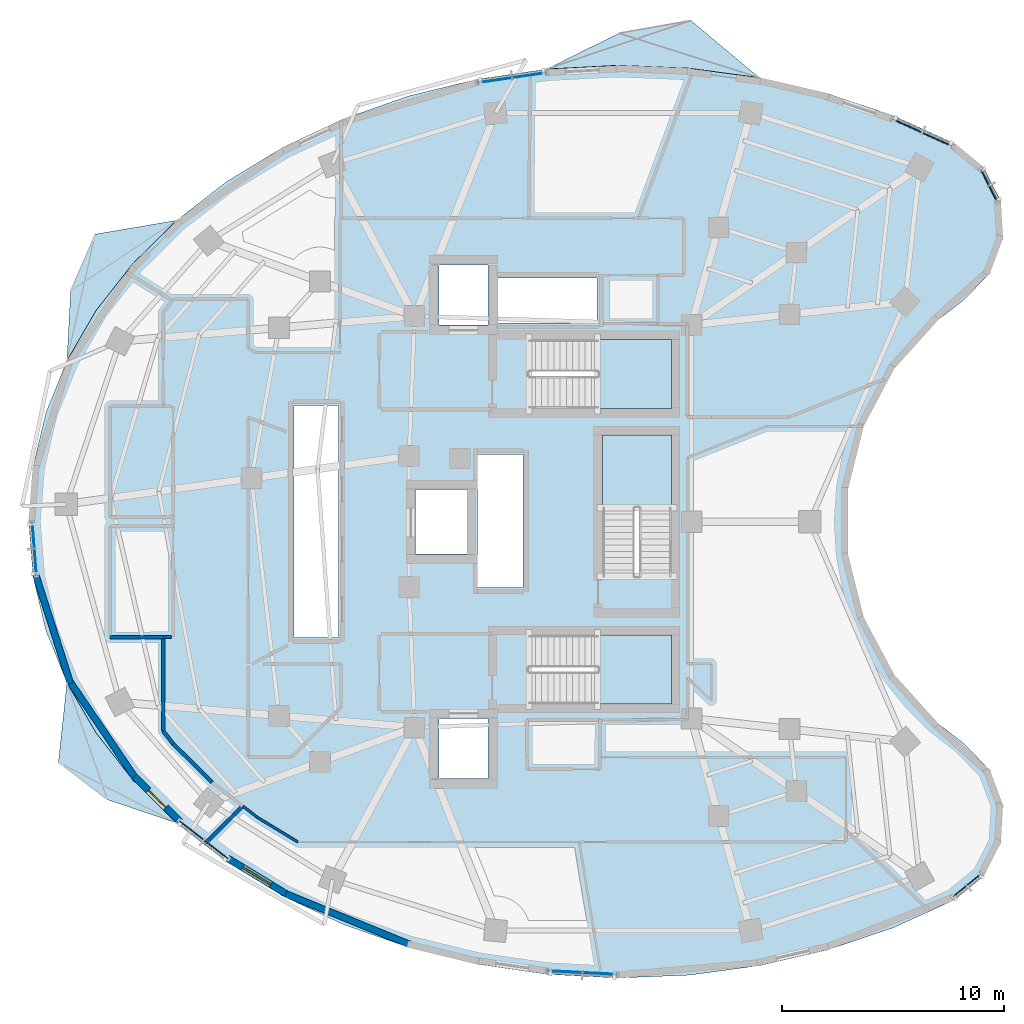
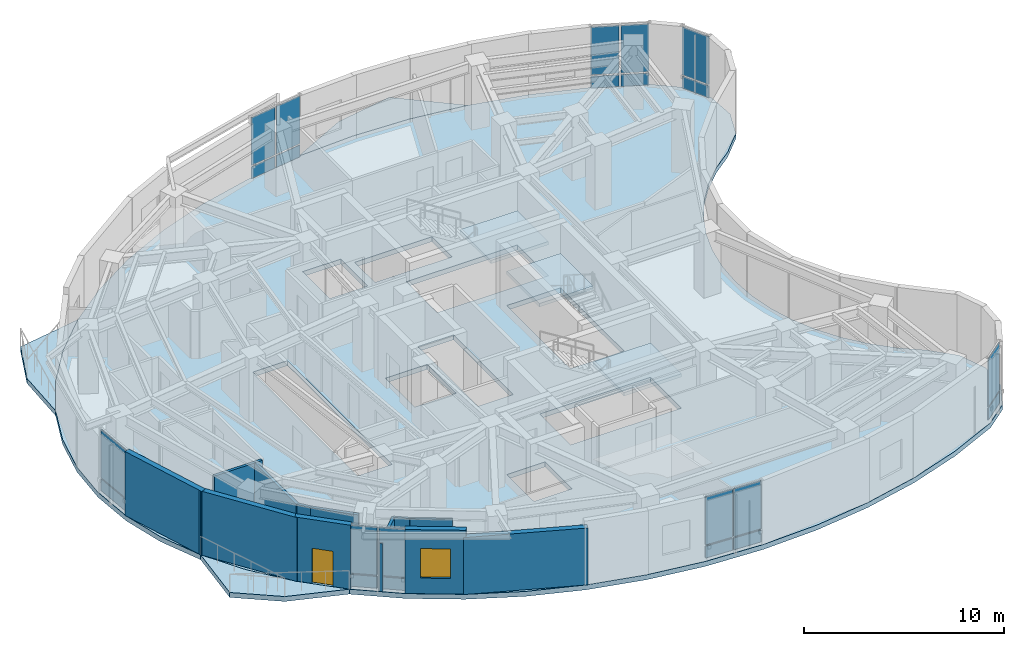
# One storey, part 6 of 13: 22 plates, 13 walls, 7 slabs, 1 door, 1 window, 2 openings, 10 elements without a shape of their own.
"""IFC4 building model written with IfcOpenShell, lengths in metres."""

from ifc_helpers import new_model, si_unit, direction, frame, frame_2d, origin, origin_2d, place, context, subcontext, project, spatial, polyline, rectangle, outline, extrude, material, layer, layer_set, type_object, element, fill, aggregate, save


model = new_model("IFC4")

# Units and contexts
model_context = context("Model", 3, precision=1e-05, world=origin(), true_north=direction((0.0, 1.0)))
body_context = subcontext(model_context, "Body", "Model", "MODEL_VIEW")
ifc_project = project(units=[si_unit("LENGTHUNIT", "METRE"), si_unit("AREAUNIT", "SQUARE_METRE"), si_unit("VOLUMEUNIT", "CUBIC_METRE"), si_unit("PLANEANGLEUNIT", "RADIAN"), si_unit("MASSUNIT", "GRAM", prefix="KILO")], contexts=[model_context])

# Site, building, storey
site_placement = place(None, origin())
site = spatial("IfcSite", under=ifc_project, at=site_placement, CompositionType="ELEMENT")
building_placement = place(site_placement, origin())
building = spatial("IfcBuilding", under=site, at=building_placement, Name="Korentha Bioscience Tower", CompositionType="ELEMENT")
storey_placement = place(building_placement, frame((0.0, 0.0, 183.60009765625)))
storey = spatial("IfcBuildingStorey", under=building, at=storey_placement, Name="L42", CompositionType="ELEMENT", Elevation=183.60009765625)

# Curtain wall, plates
ifc_material_1 = material(Name="Thermally Broken Aluminium Frame", Category="aluminium")
ifc_layer_1 = layer(ifc_material_1, 0.219970703125, Name="Thermally Broken Aluminium Frame")
ifc_layer_set_1 = layer_set([ifc_layer_1], Name="Thermally Broken Aluminium Frame (CW-T2)")
curtain_wall_type = type_object("IfcCurtainWallType", Name="Solar-Screened Lab Unitised Curtain Wall CW-T2", PredefinedType="USERDEFINED", material=ifc_layer_set_1)
curtain_wall_1_placement = place(storey_placement, origin())
curtain_wall_1 = element("IfcCurtainWall", 1, at=curtain_wall_1_placement, inside=storey, type_object=curtain_wall_type, Name="L42 Curtain Wall 01", ObjectType="UNITISED", PredefinedType="USERDEFINED")
ifc_material_2 = material(Name="Triple-Glazed Low-E Insulated Glass", Category="glass")
ifc_layer_2 = layer(ifc_material_2, 0.0439453125, Name="Triple-Glazed Low-E Insulated Glass")
ifc_layer_set_2 = layer_set([ifc_layer_2], Name="Triple-Glazed Low-E Insulated Glass (GL-44)")
plate_type = type_object("IfcPlateType", Name="Glazed Panel 44mm", PredefinedType="CURTAIN_PANEL", material=ifc_layer_set_2)
plate_1_placement = place(storey_placement, frame((48.625732421875, 44.190673828125, 0.08984375), z_axis=(0.0, 0.0, 1.0), x_axis=(-0.910644398392, 0.413190972406, 0.0)))
plate_1 = element("IfcPlate", 2, at=plate_1_placement, type_object=plate_type, Name="CW-L42-01 Bay 1 Glazed Panel 1", PredefinedType="CURTAIN_PANEL", context=body_context, shape_type="SweptSolid", body=[
    extrude(rectangle(XDim=1.422607421875, YDim=0.0439453125, at=origin_2d()), origin(), (0.0, 0.0, 1.0), 0.715087890625),
])
plate_2_placement = place(storey_placement, frame((48.625732421875, 44.190673828125, 0.894775390625), z_axis=(0.0, 0.0, 1.0), x_axis=(-0.910644398392, 0.413190972406, 0.0)))
plate_2 = element("IfcPlate", 3, at=plate_2_placement, type_object=plate_type, Name="CW-L42-01 Bay 1 Glazed Panel 2", PredefinedType="CURTAIN_PANEL", context=body_context, shape_type="SweptSolid", body=[
    extrude(rectangle(XDim=1.422607421875, YDim=0.0439453125, at=origin_2d()), origin(), (0.0, 0.0, 1.0), 2.9150390625),
])
plate_3_placement = place(storey_placement, frame((47.248291015625, 44.815673828125, 0.08984375), z_axis=(0.0, 0.0, 1.0), x_axis=(-0.910644398392, 0.413190972406, 0.0)))
plate_3 = element("IfcPlate", 4, at=plate_3_placement, type_object=plate_type, Name="CW-L42-01 Bay 2 Glazed Panel 1", PredefinedType="CURTAIN_PANEL", context=body_context, shape_type="SweptSolid", body=[
    extrude(rectangle(XDim=1.422607421875, YDim=0.0439453125, at=origin_2d()), origin(), (0.0, 0.0, 1.0), 0.715087890625),
])
plate_4_placement = place(storey_placement, frame((47.248291015625, 44.815673828125, 0.894775390625), z_axis=(0.0, 0.0, 1.0), x_axis=(-0.910644398392, 0.413190972406, 0.0)))
plate_4 = element("IfcPlate", 5, at=plate_4_placement, type_object=plate_type, Name="CW-L42-01 Bay 2 Glazed Panel 2", PredefinedType="CURTAIN_PANEL", context=body_context, shape_type="SweptSolid", body=[
    extrude(rectangle(XDim=1.422607421875, YDim=0.0439453125, at=origin_2d()), origin(), (0.0, 0.0, 1.0), 2.9150390625),
])
aggregate(curtain_wall_1, [plate_1, plate_2, plate_3, plate_4])

curtain_wall_2_placement = place(storey_placement, origin())
curtain_wall_2 = element("IfcCurtainWall", 6, at=curtain_wall_2_placement, inside=storey, type_object=curtain_wall_type, Name="L42 Curtain Wall 07", ObjectType="UNITISED", PredefinedType="USERDEFINED")
plate_5_placement = place(storey_placement, frame((30.27099609375, 47.090087890625, 0.08984375), z_axis=(0.0, 0.0, 1.0), x_axis=(-0.989461919888, -0.144793332342, 0.0)))
plate_5 = element("IfcPlate", 7, at=plate_5_placement, type_object=plate_type, Name="CW-L42-07 Bay 1 Glazed Panel 1", PredefinedType="CURTAIN_PANEL", context=body_context, shape_type="SweptSolid", body=[
    extrude(rectangle(XDim=1.498291015625, YDim=0.0439453125, at=origin_2d()), origin(), (0.0, 0.0, 1.0), 0.715087890625),
])
plate_6_placement = place(storey_placement, frame((30.27099609375, 47.090087890625, 0.894775390625), z_axis=(0.0, 0.0, 1.0), x_axis=(-0.989461919888, -0.144793332342, 0.0)))
plate_6 = element("IfcPlate", 8, at=plate_6_placement, type_object=plate_type, Name="CW-L42-07 Bay 1 Glazed Panel 2", PredefinedType="CURTAIN_PANEL", context=body_context, shape_type="SweptSolid", body=[
    extrude(rectangle(XDim=1.498291015625, YDim=0.0439453125, at=origin_2d()), origin(), (0.0, 0.0, 1.0), 2.9150390625),
])
plate_7_placement = place(storey_placement, frame((28.69921875, 46.860107421875, 0.08984375), z_axis=(0.0, 0.0, 1.0), x_axis=(-0.989461919888, -0.144793332342, 0.0)))
plate_7 = element("IfcPlate", 9, at=plate_7_placement, type_object=plate_type, Name="CW-L42-07 Bay 2 Glazed Panel 1", PredefinedType="CURTAIN_PANEL", context=body_context, shape_type="SweptSolid", body=[
    extrude(rectangle(XDim=1.498291015625, YDim=0.0439453125, at=origin_2d()), origin(), (0.0, 0.0, 1.0), 0.715087890625),
])
plate_8_placement = place(storey_placement, frame((28.69921875, 46.860107421875, 0.894775390625), z_axis=(0.0, 0.0, 1.0), x_axis=(-0.989461919888, -0.144793332342, 0.0)))
plate_8 = element("IfcPlate", 10, at=plate_8_placement, type_object=plate_type, Name="CW-L42-07 Bay 2 Glazed Panel 2", PredefinedType="CURTAIN_PANEL", context=body_context, shape_type="SweptSolid", body=[
    extrude(rectangle(XDim=1.498291015625, YDim=0.0439453125, at=origin_2d()), origin(), (0.0, 0.0, 1.0), 2.9150390625),
])
aggregate(curtain_wall_2, [plate_5, plate_6, plate_7, plate_8])

curtain_wall_3_placement = place(storey_placement, origin())
curtain_wall_3 = element("IfcCurtainWall", 11, at=curtain_wall_3_placement, inside=storey, type_object=curtain_wall_type, Name="L42 Curtain Wall 19", ObjectType="UNITISED", PredefinedType="USERDEFINED")
plate_9_placement = place(storey_placement, frame((7.991943359375, 25.781005859375, 0.08984375), z_axis=(0.0, 0.0, 1.0), x_axis=(0.078030772566, -0.996950950916, 0.0)))
plate_9 = element("IfcPlate", 12, at=plate_9_placement, type_object=plate_type, Name="CW-L42-19 Bay 1 Glazed Panel 1", PredefinedType="CURTAIN_PANEL", context=body_context, shape_type="SweptSolid", body=[
    extrude(rectangle(XDim=2.370361328125, YDim=0.0439453125, at=origin_2d()), origin(), (0.0, 0.0, 1.0), 0.715087890625),
])
plate_10_placement = place(storey_placement, frame((7.991943359375, 25.781005859375, 0.894775390625), z_axis=(0.0, 0.0, 1.0), x_axis=(0.078030772566, -0.996950950916, 0.0)))
plate_10 = element("IfcPlate", 13, at=plate_10_placement, type_object=plate_type, Name="CW-L42-19 Bay 1 Glazed Panel 2", PredefinedType="CURTAIN_PANEL", context=body_context, shape_type="SweptSolid", body=[
    extrude(rectangle(XDim=2.370361328125, YDim=0.0439453125, at=origin_2d()), origin(), (0.0, 0.0, 1.0), 2.9150390625),
])
aggregate(curtain_wall_3, [plate_9, plate_10])

curtain_wall_4_placement = place(storey_placement, origin())
curtain_wall_4 = element("IfcCurtainWall", 14, at=curtain_wall_4_placement, inside=storey, type_object=curtain_wall_type, Name="L42 Curtain Wall 25", ObjectType="UNITISED", PredefinedType="USERDEFINED")
plate_11_placement = place(storey_placement, frame((15.0556640625, 13.126953125, 0.08984375), z_axis=(0.0, 0.0, 1.0), x_axis=(0.790546796919, -0.612401634454, 0.0)))
plate_11 = element("IfcPlate", 15, at=plate_11_placement, type_object=plate_type, Name="CW-L42-25 Bay 1 Glazed Panel 1", PredefinedType="CURTAIN_PANEL", context=body_context, shape_type="SweptSolid", body=[
    extrude(rectangle(XDim=1.3349609375, YDim=0.0439453125, at=origin_2d()), origin(), (0.0, 0.0, 1.0), 0.715087890625),
])
plate_12_placement = place(storey_placement, frame((15.0556640625, 13.126953125, 0.894775390625), z_axis=(0.0, 0.0, 1.0), x_axis=(0.790546796919, -0.612401634454, 0.0)))
plate_12 = element("IfcPlate", 16, at=plate_12_placement, type_object=plate_type, Name="CW-L42-25 Bay 1 Glazed Panel 2", PredefinedType="CURTAIN_PANEL", context=body_context, shape_type="SweptSolid", body=[
    extrude(rectangle(XDim=1.3349609375, YDim=0.0439453125, at=origin_2d()), origin(), (0.0, 0.0, 1.0), 2.9150390625),
])
plate_13_placement = place(storey_placement, frame((16.18212890625, 12.25439453125, 0.08984375), z_axis=(0.0, 0.0, 1.0), x_axis=(0.790546796919, -0.612401634454, 0.0)))
plate_13 = element("IfcPlate", 17, at=plate_13_placement, type_object=plate_type, Name="CW-L42-25 Bay 2 Glazed Panel 1", PredefinedType="CURTAIN_PANEL", context=body_context, shape_type="SweptSolid", body=[
    extrude(rectangle(XDim=1.3349609375, YDim=0.0439453125, at=origin_2d()), origin(), (0.0, 0.0, 1.0), 0.715087890625),
])
plate_14_placement = place(storey_placement, frame((16.18212890625, 12.25439453125, 0.894775390625), z_axis=(0.0, 0.0, 1.0), x_axis=(0.790546796919, -0.612401634454, 0.0)))
plate_14 = element("IfcPlate", 18, at=plate_14_placement, type_object=plate_type, Name="CW-L42-25 Bay 2 Glazed Panel 2", PredefinedType="CURTAIN_PANEL", context=body_context, shape_type="SweptSolid", body=[
    extrude(rectangle(XDim=1.3349609375, YDim=0.0439453125, at=origin_2d()), origin(), (0.0, 0.0, 1.0), 2.9150390625),
])
aggregate(curtain_wall_4, [plate_11, plate_12, plate_13, plate_14])

curtain_wall_5_placement = place(storey_placement, origin())
curtain_wall_5 = element("IfcCurtainWall", 19, at=curtain_wall_5_placement, inside=storey, type_object=curtain_wall_type, Name="L42 Curtain Wall 31", ObjectType="UNITISED", PredefinedType="USERDEFINED")
plate_15_placement = place(storey_placement, frame((31.849853515625, 6.75390625, 0.08984375), z_axis=(0.0, 0.0, 1.0), x_axis=(0.998637677307, -0.052180355139, 0.0)))
plate_15 = element("IfcPlate", 20, at=plate_15_placement, type_object=plate_type, Name="CW-L42-31 Bay 1 Glazed Panel 1", PredefinedType="CURTAIN_PANEL", context=body_context, shape_type="SweptSolid", body=[
    extrude(rectangle(XDim=1.50830078125, YDim=0.0439453125, at=origin_2d()), origin(), (0.0, 0.0, 1.0), 0.715087890625),
])
plate_16_placement = place(storey_placement, frame((31.849853515625, 6.75390625, 0.894775390625), z_axis=(0.0, 0.0, 1.0), x_axis=(0.998637677307, -0.052180355139, 0.0)))
plate_16 = element("IfcPlate", 21, at=plate_16_placement, type_object=plate_type, Name="CW-L42-31 Bay 1 Glazed Panel 2", PredefinedType="CURTAIN_PANEL", context=body_context, shape_type="SweptSolid", body=[
    extrude(rectangle(XDim=1.50830078125, YDim=0.0439453125, at=origin_2d()), origin(), (0.0, 0.0, 1.0), 2.9150390625),
])
plate_17_placement = place(storey_placement, frame((33.446044921875, 6.67041015625, 0.08984375), z_axis=(0.0, 0.0, 1.0), x_axis=(0.998637677307, -0.052180355139, 0.0)))
plate_17 = element("IfcPlate", 22, at=plate_17_placement, type_object=plate_type, Name="CW-L42-31 Bay 2 Glazed Panel 1", PredefinedType="CURTAIN_PANEL", context=body_context, shape_type="SweptSolid", body=[
    extrude(rectangle(XDim=1.50830078125, YDim=0.0439453125, at=origin_2d()), origin(), (0.0, 0.0, 1.0), 0.715087890625),
])
plate_18_placement = place(storey_placement, frame((33.446044921875, 6.67041015625, 0.894775390625), z_axis=(0.0, 0.0, 1.0), x_axis=(0.998637677307, -0.052180355139, 0.0)))
plate_18 = element("IfcPlate", 23, at=plate_18_placement, type_object=plate_type, Name="CW-L42-31 Bay 2 Glazed Panel 2", PredefinedType="CURTAIN_PANEL", context=body_context, shape_type="SweptSolid", body=[
    extrude(rectangle(XDim=1.50830078125, YDim=0.0439453125, at=origin_2d()), origin(), (0.0, 0.0, 1.0), 2.9150390625),
])
aggregate(curtain_wall_5, [plate_15, plate_16, plate_17, plate_18])

curtain_wall_6_placement = place(storey_placement, origin())
curtain_wall_6 = element("IfcCurtainWall", 24, at=curtain_wall_6_placement, inside=storey, type_object=curtain_wall_type, Name="L42 Curtain Wall 37", ObjectType="UNITISED", PredefinedType="USERDEFINED")
plate_19_placement = place(storey_placement, frame((49.938720703125, 10.637451171875, 0.08984375), z_axis=(0.0, 0.0, 1.0), x_axis=(0.77425646139, 0.632871971251, 0.0)))
plate_19 = element("IfcPlate", 25, at=plate_19_placement, type_object=plate_type, Name="CW-L42-37 Bay 1 Glazed Panel 1", PredefinedType="CURTAIN_PANEL", context=body_context, shape_type="SweptSolid", body=[
    extrude(rectangle(XDim=1.591796875, YDim=0.0439453125, at=origin_2d()), origin(), (0.0, 0.0, 1.0), 0.715087890625),
])
plate_20_placement = place(storey_placement, frame((49.938720703125, 10.637451171875, 0.894775390625), z_axis=(0.0, 0.0, 1.0), x_axis=(0.77425646139, 0.632871971251, 0.0)))
plate_20 = element("IfcPlate", 26, at=plate_20_placement, type_object=plate_type, Name="CW-L42-37 Bay 1 Glazed Panel 2", PredefinedType="CURTAIN_PANEL", context=body_context, shape_type="SweptSolid", body=[
    extrude(rectangle(XDim=1.591796875, YDim=0.0439453125, at=origin_2d()), origin(), (0.0, 0.0, 1.0), 2.9150390625),
])
aggregate(curtain_wall_6, [plate_19, plate_20])

curtain_wall_7_placement = place(storey_placement, origin())
curtain_wall_7 = element("IfcCurtainWall", 27, at=curtain_wall_7_placement, inside=storey, type_object=curtain_wall_type, Name="L42 Curtain Wall 61", ObjectType="UNITISED", PredefinedType="USERDEFINED")
plate_21_placement = place(storey_placement, frame((50.936767578125, 42.124755859375, 0.08984375), z_axis=(0.0, 0.0, 1.0), x_axis=(-0.45428845847, 0.890854643868, 0.0)))
plate_21 = element("IfcPlate", 28, at=plate_21_placement, type_object=plate_type, Name="CW-L42-61 Bay 1 Glazed Panel 1", PredefinedType="CURTAIN_PANEL", context=body_context, shape_type="SweptSolid", body=[
    extrude(rectangle(XDim=1.591796875, YDim=0.0439453125, at=origin_2d()), origin(), (0.0, 0.0, 1.0), 0.715087890625),
])
plate_22_placement = place(storey_placement, frame((50.936767578125, 42.124755859375, 0.894775390625), z_axis=(0.0, 0.0, 1.0), x_axis=(-0.45428845847, 0.890854643868, 0.0)))
plate_22 = element("IfcPlate", 29, at=plate_22_placement, type_object=plate_type, Name="CW-L42-61 Bay 1 Glazed Panel 2", PredefinedType="CURTAIN_PANEL", context=body_context, shape_type="SweptSolid", body=[
    extrude(rectangle(XDim=1.591796875, YDim=0.0439453125, at=origin_2d()), origin(), (0.0, 0.0, 1.0), 2.9150390625),
])
aggregate(curtain_wall_7, [plate_21, plate_22])

# Slab
ifc_material_3 = material(Name="Concrete C50", Category="concrete")
ifc_layer_3 = layer(ifc_material_3, 0.300048828125, Name="Concrete C50")
ifc_layer_set_3 = layer_set([ifc_layer_3], Name="Concrete C50 (SL-L300)")
slab_type_1 = type_object("IfcSlabType", Name="Laboratory Vibration-Controlled Slab 300", PredefinedType="FLOOR", material=ifc_layer_set_3)
slab_1_placement = place(storey_placement, frame((0.0, 0.0, -0.300048828125)))
element("IfcSlab", 30, at=slab_1_placement, inside=storey, type_object=slab_type_1, Name="L42 Tower Structural Floor Slab", PredefinedType="FLOOR", context=body_context, shape_type="SweptSolid", body=[
    extrude(outline(polyline([(49.38525390625, 44.021728515625), (46.62109375, 45.27587890625), (43.681396484375, 46.266357421875), (40.608154296875, 46.978515625), (37.446044921875, 47.40234375), (34.24072265625, 47.531494140625), (31.038330078125, 47.364013671875), (27.88525390625, 46.902587890625), (24.826904296875, 46.154052734375), (21.907470703125, 45.128662109375), (19.169189453125, 43.841552734375), (16.6513671875, 42.311279296875), (14.390380859375, 40.56005859375), (12.419189453125, 38.613037109375), (10.76611328125, 36.498291015625), (9.454833984375, 34.246337890625), (8.504638671875, 31.889892578125), (7.9287109375, 29.462646484375), (7.736083984375, 27.0), (7.9287109375, 24.537353515625), (8.504638671875, 22.110107421875), (9.454833984375, 19.753662109375), (10.76611328125, 17.501708984375), (12.419189453125, 15.386962890625), (14.390380859375, 13.43994140625), (16.6513671875, 11.688720703125), (19.169189453125, 10.158447265625), (21.907470703125, 8.871337890625), (24.826904296875, 7.845947265625), (27.88525390625, 7.097412109375), (31.038330078125, 6.635986328125), (34.24072265625, 6.468505859375), (37.446044921875, 6.59765625), (40.608154296875, 7.021484375), (43.681396484375, 7.733642578125), (46.62109375, 8.72412109375), (49.38525390625, 9.978271484375), (50.695068359375, 11.048828125), (51.46337890625, 12.55615234375), (51.560791015625, 14.2451171875), (50.970458984375, 15.83056640625), (49.792236328125, 17.044677734375), (48.629150390625, 17.937255859375), (47.583251953125, 18.96484375), (46.670654296875, 20.1123046875), (45.904541015625, 21.3623046875), (45.29638671875, 22.696533203125), (44.855712890625, 24.094970703125), (44.58837890625, 25.53662109375), (44.498779296875, 27.0), (44.58837890625, 28.46337890625), (44.855712890625, 29.905029296875), (45.29638671875, 31.303466796875), (45.904541015625, 32.6376953125), (46.670654296875, 33.8876953125), (47.583251953125, 35.03515625), (48.629150390625, 36.062744140625), (49.792236328125, 36.955322265625), (50.970458984375, 38.16943359375), (51.560791015625, 39.7548828125), (51.46337890625, 41.44384765625), (50.695068359375, 42.951171875), (49.38525390625, 44.021728515625)]), holes=[polyline([(30.25, 32.10009765625), (36.64990234375, 32.10009765625), (36.64990234375, 35.199951171875), (30.25, 35.199951171875), (30.25, 32.10009765625)]), polyline([(30.25, 18.800048828125), (36.64990234375, 18.800048828125), (36.64990234375, 21.89990234375), (30.25, 21.89990234375), (30.25, 18.800048828125)]), polyline([(36.64990234375, 24.550048828125), (36.64990234375, 30.89990234375), (33.550048828125, 30.89990234375), (33.550048828125, 24.550048828125), (36.64990234375, 24.550048828125)]), polyline([(19.679931640625, 21.780029296875), (21.669921875, 21.780029296875), (21.669921875, 32.219970703125), (19.679931640625, 32.219970703125), (19.679931640625, 21.780029296875)]), polyline([(27.929931640625, 24.030029296875), (29.969970703125, 24.030029296875), (29.969970703125, 30.02001953125), (27.929931640625, 30.02001953125), (27.929931640625, 24.030029296875)]), polyline([(28.860107421875, 35.93994140625), (33.31005859375, 35.93994140625), (33.31005859375, 37.9599609375), (28.860107421875, 37.9599609375), (28.860107421875, 35.93994140625)]), polyline([(26.199951171875, 15.449951171875), (28.39990234375, 15.449951171875), (28.39990234375, 18.14990234375), (26.199951171875, 18.14990234375), (26.199951171875, 15.449951171875)]), polyline([(26.199951171875, 35.85009765625), (28.39990234375, 35.85009765625), (28.39990234375, 38.550048828125), (26.199951171875, 38.550048828125), (26.199951171875, 35.85009765625)]), polyline([(25.14990234375, 25.550048828125), (27.550048828125, 25.550048828125), (27.550048828125, 28.449951171875), (25.14990234375, 28.449951171875), (25.14990234375, 25.550048828125)])]), origin(), (0.0, 0.0, 1.0), 0.300048828125),
])

# Stair, slab
ifc_material_4 = material(Name="Precast Concrete C50", Category="concrete")
stair_type = type_object("IfcStairType", Name="Core Exit Dog-Leg Stair 1450", PredefinedType="HALF_TURN_STAIR", material=ifc_material_4)
stair_1_placement = place(storey_placement, origin())
stair_1 = element("IfcStair", 31, at=stair_1_placement, inside=storey, type_object=stair_type, Name="L42 Tower North Pressurized Exit Stair ST-1", PredefinedType="HALF_TURN_STAIR")
ifc_layer_4 = layer(ifc_material_3, 0.199951171875, Name="Concrete C50")
ifc_layer_set_4 = layer_set([ifc_layer_4], Name="Concrete C50 (SL-LND)")
slab_type_2 = type_object("IfcSlabType", Name="Landing Slab 200", PredefinedType="LANDING", material=ifc_layer_set_4)
slab_2_placement = place(storey_placement, frame((0.0, 0.0, 1.89990234375)))
slab_2 = element("IfcSlab", 32, at=slab_2_placement, type_object=slab_type_2, Name="ST-1 landing 1", PredefinedType="LANDING", context=body_context, shape_type="SweptSolid", body=[
    extrude(outline(polyline([(33.330078125, 32.10009765625), (36.64990234375, 32.10009765625), (36.64990234375, 35.199951171875), (33.330078125, 35.199951171875), (33.330078125, 32.10009765625)])), origin(), (0.0, 0.0, 1.0), 0.199951171875),
])
aggregate(stair_1, [slab_2])

stair_2_placement = place(storey_placement, origin())
stair_2 = element("IfcStair", 33, at=stair_2_placement, inside=storey, type_object=stair_type, Name="L42 Tower South Pressurized Exit Stair ST-2", PredefinedType="HALF_TURN_STAIR")
slab_3_placement = place(storey_placement, frame((0.0, 0.0, 1.89990234375)))
slab_3 = element("IfcSlab", 34, at=slab_3_placement, type_object=slab_type_2, Name="ST-2 landing 1", PredefinedType="LANDING", context=body_context, shape_type="SweptSolid", body=[
    extrude(outline(polyline([(33.330078125, 18.800048828125), (36.64990234375, 18.800048828125), (36.64990234375, 21.89990234375), (33.330078125, 21.89990234375), (33.330078125, 18.800048828125)])), origin(), (0.0, 0.0, 1.0), 0.199951171875),
])
aggregate(stair_2, [slab_3])

stair_3_placement = place(storey_placement, origin())
stair_3 = element("IfcStair", 35, at=stair_3_placement, inside=storey, type_object=stair_type, Name="L42 Tower Central Pressurized Exit Stair ST-3", PredefinedType="HALF_TURN_STAIR")
slab_4_placement = place(storey_placement, frame((0.0, 0.0, 1.89990234375)))
slab_4 = element("IfcSlab", 36, at=slab_4_placement, type_object=slab_type_2, Name="ST-3 landing 1", PredefinedType="LANDING", context=body_context, shape_type="SweptSolid", body=[
    extrude(outline(polyline([(36.64990234375, 27.6298828125), (36.64990234375, 30.89990234375), (33.550048828125, 30.89990234375), (33.550048828125, 27.6298828125), (36.64990234375, 27.6298828125)])), origin(), (0.0, 0.0, 1.0), 0.199951171875),
])
aggregate(stair_3, [slab_4])

# Slabs
ifc_layer_5 = layer(ifc_material_3, 0.300048828125, Name="Concrete C50")
ifc_layer_set_5 = layer_set([ifc_layer_5], Name="Concrete C50 (BS-240)")
slab_type_3 = type_object("IfcSlabType", Name="Sawtooth Sun-Ledge Balcony Slab 240", PredefinedType="USERDEFINED", material=ifc_layer_set_5)
slab_5_placement = place(storey_placement, frame((0.0, 0.0, -0.300048828125)))
element("IfcSlab", 37, at=slab_5_placement, inside=storey, type_object=slab_type_3, Name="L42 Sun-Ledge Balcony 01", ObjectType="BALCONY", PredefinedType="USERDEFINED", context=body_context, shape_type="SweptSolid", body=[
    extrude(outline(polyline([(31.038330078125, 47.364013671875), (34.24072265625, 47.531494140625), (37.446044921875, 47.40234375), (40.608154296875, 46.978515625), (37.53271484375, 49.550537109375), (34.29931640625, 48.980224609375), (31.038330078125, 47.364013671875)])), origin(), (0.0, 0.0, 1.0), 0.300048828125),
])
slab_6_placement = place(storey_placement, frame((0.0, 0.0, -0.300048828125)))
element("IfcSlab", 38, at=slab_6_placement, inside=storey, type_object=slab_type_3, Name="L42 Sun-Ledge Balcony 02", ObjectType="BALCONY", PredefinedType="USERDEFINED", context=body_context, shape_type="SweptSolid", body=[
    extrude(outline(polyline([(9.454833984375, 34.246337890625), (10.76611328125, 36.498291015625), (12.419189453125, 38.613037109375), (14.390380859375, 40.56005859375), (10.725341796875, 39.93701171875), (9.623779296875, 37.391357421875), (9.454833984375, 34.246337890625)])), origin(), (0.0, 0.0, 1.0), 0.300048828125),
])
slab_7_placement = place(storey_placement, frame((0.0, 0.0, -0.300048828125)))
element("IfcSlab", 39, at=slab_7_placement, inside=storey, type_object=slab_type_3, Name="L42 Sun-Ledge Balcony 03", ObjectType="BALCONY", PredefinedType="USERDEFINED", context=body_context, shape_type="SweptSolid", body=[
    extrude(outline(polyline([(14.390380859375, 13.43994140625), (12.419189453125, 15.386962890625), (10.76611328125, 17.501708984375), (9.454833984375, 19.753662109375), (9.072265625, 16.177490234375), (11.27685546875, 14.493896484375), (14.390380859375, 13.43994140625)])), origin(), (0.0, 0.0, 1.0), 0.300048828125),
])

# Walls
ifc_material_5 = material(Name="Double-Stud Acoustic Gypsum", Category="gypsum")
ifc_layer_6 = layer(ifc_material_5, 0.14990234375, Name="Double-Stud Acoustic Gypsum")
ifc_layer_set_6 = layer_set([ifc_layer_6], Name="Double-Stud Acoustic Gypsum (IW-L150)")
wall_type_1 = type_object("IfcWallType", Name="Acoustic Laboratory Partition Wall 150", PredefinedType="PARTITIONING", material=ifc_layer_set_6)
wall_1_placement = place(storey_placement, frame((14.162109375, 21.81005859375, 0.0), z_axis=(0.0, 0.0, 1.0), x_axis=(-1.0, 0.0, 0.0)))
element("IfcWall", 40, at=wall_1_placement, inside=storey, type_object=wall_type_1, Name="L42 Interior Partition 021", PredefinedType="PARTITIONING", context=body_context, shape_type="SweptSolid", body=[
    extrude(rectangle(XDim=0.362060546875, YDim=0.14990234375, at=frame_2d((0.18115234375, 0.0))), origin(), (0.0, 0.0, 1.0), 2.909912109375),
])
wall_2_placement = place(storey_placement, frame((13.7900390625, 21.800048828125, 0.0), z_axis=(0.0, 0.0, 1.0), x_axis=(-1.0, 0.0, 0.0)))
element("IfcWall", 41, at=wall_2_placement, inside=storey, type_object=wall_type_1, Name="L42 Interior Partition 022", PredefinedType="PARTITIONING", context=body_context, shape_type="SweptSolid", body=[
    extrude(rectangle(XDim=2.39013671875, YDim=0.14990234375, at=frame_2d((1.195068359375, 0.0))), origin(), (0.0, 0.0, 1.0), 2.909912109375),
])
ifc_material_6 = material(Name="Fire-Rated Framed Glass", Category="glass")
ifc_layer_7 = layer(ifc_material_6, 0.110107421875, Name="Fire-Rated Framed Glass")
ifc_layer_set_7 = layer_set([ifc_layer_7], Name="Fire-Rated Framed Glass (IW-G110)")
wall_type_2 = type_object("IfcWallType", Name="Demountable Glazed Office Partition 110", PredefinedType="MOVABLE", material=ifc_layer_set_7)
wall_3_placement = place(storey_placement, frame((17.376708984375, 14.200439453125, 0.0), z_axis=(0.0, 0.0, 1.0), x_axis=(0.790511553124, -0.612447127822, 0.0)))
element("IfcWall", 42, at=wall_3_placement, inside=storey, type_object=wall_type_2, Name="L42 Interior Partition 044", PredefinedType="MOVABLE", context=body_context, shape_type="SweptSolid", body=[
    extrude(rectangle(XDim=0.82666015625, YDim=0.110107421875, at=frame_2d((0.413330078125, 0.0))), origin(), (0.0, 0.0, 1.0), 2.909912109375),
])
wall_4_placement = place(storey_placement, frame((18.03125, 13.693603515625, 0.0), z_axis=(0.0, 0.0, 1.0), x_axis=(0.85454497186, -0.51937740716, 0.0)))
element("IfcWall", 43, at=wall_4_placement, inside=storey, type_object=wall_type_2, Name="L42 Interior Partition 045", PredefinedType="MOVABLE", context=body_context, shape_type="SweptSolid", body=[
    extrude(rectangle(XDim=2.121826171875, YDim=0.110107421875, at=frame_2d((1.06103515625, 0.0))), origin(), (0.0, 0.0, 1.0), 2.909912109375),
])
ifc_material_7 = material(Name="Gypsum-Clad Steel Stud", Category="steel")
ifc_layer_8 = layer(ifc_material_7, 0.159912109375, Name="Gypsum-Clad Steel Stud")
ifc_layer_set_8 = layer_set([ifc_layer_8], Name="Gypsum-Clad Steel Stud (IW-C160)")
wall_type_3 = type_object("IfcWallType", Name="Fire-Rated Corridor Partition Wall 160", PredefinedType="PARTITIONING", material=ifc_layer_set_8)
wall_5_placement = place(storey_placement, frame((13.7900390625, 21.7900390625, 0.0), z_axis=(0.0, 0.0, 1.0), x_axis=(0.0, -1.0, 0.0)))
element("IfcWall", 44, at=wall_5_placement, inside=storey, type_object=wall_type_3, Name="L42 Interior Partition 032", PredefinedType="PARTITIONING", context=body_context, shape_type="SweptSolid", body=[
    extrude(rectangle(XDim=4.20751953125, YDim=0.159912109375, at=frame_2d((2.103759765625, 0.0))), origin(), (0.0, 0.0, 1.0), 2.909912109375),
])
wall_6_placement = place(storey_placement, frame((13.7919921875, 17.576416015625, 0.0), z_axis=(0.0, 0.0, 1.0), x_axis=(0.615925776879, -0.787804187204, 0.0)))
element("IfcWall", 45, at=wall_6_placement, inside=storey, type_object=wall_type_3, Name="L42 Interior Partition 033", PredefinedType="PARTITIONING", context=body_context, shape_type="SweptSolid", body=[
    extrude(rectangle(XDim=0.722900390625, YDim=0.159912109375, at=frame_2d((0.361328125, 0.0))), origin(), (0.0, 0.0, 1.0), 2.909912109375),
])
wall_7_placement = place(storey_placement, frame((14.23828125, 17.005859375, 0.0), z_axis=(0.0, 0.0, 1.0), x_axis=(0.711447157113, -0.702739598027, 0.0)))
element("IfcWall", 46, at=wall_7_placement, inside=storey, type_object=wall_type_3, Name="L42 Interior Partition 034", PredefinedType="PARTITIONING", context=body_context, shape_type="SweptSolid", body=[
    extrude(rectangle(XDim=2.46728515625, YDim=0.159912109375, at=frame_2d((1.233642578125, 0.0))), origin(), (0.0, 0.0, 1.0), 2.909912109375),
])
wall_8_placement = place(storey_placement, frame((17.368896484375, 14.20654296875, 0.0), z_axis=(0.0, 0.0, 1.0), x_axis=(-0.705948871301, -0.708262798056, 0.0)))
element("IfcWall", 47, at=wall_8_placement, inside=storey, type_object=wall_type_3, Name="L42 Interior Partition 036", PredefinedType="PARTITIONING", context=body_context, shape_type="SweptSolid", body=[
    extrude(rectangle(XDim=2.4267578125, YDim=0.159912109375, at=frame_2d((1.21337890625, 0.0))), origin(), (0.0, 0.0, 1.0), 2.909912109375),
])

# Wall, opening, door
ifc_material_8 = material(Name="Honed Limestone Precast Concrete C40", Category="masonry")
ifc_layer_9 = layer(ifc_material_8, 0.300048828125, Name="Honed Limestone Precast Concrete C40")
ifc_layer_set_9 = layer_set([ifc_layer_9], Name="Honed Limestone Precast Concrete C40 (EW-ST300)")
wall_type_4 = type_object("IfcWallType", Name="Honed Limestone Cavity Spandrel Wall 300", PredefinedType="STANDARD", material=ifc_layer_set_9)
wall_9_placement = place(storey_placement, frame((12.489013671875, 15.54296875, 0.0), z_axis=(0.0, 0.0, 1.0), x_axis=(0.711442799636, -0.70274400947, 0.0)))
wall_9 = element("IfcWall", 48, at=wall_9_placement, inside=storey, type_object=wall_type_4, Name="L42 Balcony Threshold Wall 03", PredefinedType="STANDARD", context=body_context, shape_type="SweptSolid", body=[
    extrude(rectangle(XDim=2.890869140625, YDim=0.300048828125, at=frame_2d((1.4453125, 0.0))), origin(), (0.0, 0.0, 1.0), 3.89990234375),
])
opening_1_placement = place(wall_9_placement, frame((0.8955078125, 0.0, 0.0)))
opening_1 = element("IfcOpeningElement", 49, at=opening_1_placement, cuts=wall_9, Name="Opening BD-11L", PredefinedType="OPENING", context=body_context, shape_type="SweptSolid", body=[
    extrude(rectangle(XDim=1.10009765625, YDim=2.14990234375, at=frame_2d((0.550048828125, 1.074951171875))), frame((0.0, 0.1650390625, 0.0), z_axis=(0.0, -1.0, 0.0), x_axis=(1.0, 0.0, 0.0)), (0.0, 0.0, 1.0), 0.329833984375),
])
ifc_material_9 = material(Name="Thermally Broken Glazed Aluminium", Category="aluminium")
door_type = type_object("IfcDoorType", Name="Balcony Terrace Glazed Door 1100x2150 Left", OperationType="SINGLE_SWING_LEFT", PredefinedType="DOOR", material=ifc_material_9)
door_placement = place(opening_1_placement, origin())
door = element("IfcDoor", 50, at=door_placement, inside=storey, type_object=door_type, Name="L42 Balcony Access Door 03", OperationType="SINGLE_SWING_LEFT", OverallHeight=2.14990234375, OverallWidth=1.10009765625, PredefinedType="DOOR", context=body_context, shape_type="SweptSolid", body=[
    extrude(rectangle(XDim=1.10009765625, YDim=2.14990234375, at=frame_2d((0.550048828125, 1.074951171875))), frame((0.0, 0.02490234375, 0.0), z_axis=(0.0, -1.0, 0.0), x_axis=(1.0, 0.0, 0.0)), (0.0, 0.0, 1.0), 0.050048828125),
])
fill(opening_1, door)

# Wall, opening, window
wall_10_placement = place(storey_placement, frame((16.68310546875, 11.8564453125, 0.0), z_axis=(0.0, 0.0, 1.0), x_axis=(0.85455658592, -0.519358297769, 0.0)))
wall_10 = element("IfcWall", 51, at=wall_10_placement, inside=storey, type_object=wall_type_4, Name="L42 Honed Limestone Spandrel Wall 26", PredefinedType="STANDARD", context=body_context, shape_type="SweptSolid", body=[
    extrude(rectangle(XDim=3.06640625, YDim=0.300048828125, at=frame_2d((1.533203125, 0.0))), origin(), (0.0, 0.0, 1.0), 3.89990234375),
])
opening_2_placement = place(wall_10_placement, frame((0.783203125, 0.0, 0.949951171875)))
opening_2 = element("IfcOpeningElement", 52, at=opening_2_placement, cuts=wall_10, Name="Opening WN-02", PredefinedType="OPENING", context=body_context, shape_type="SweptSolid", body=[
    extrude(rectangle(XDim=1.5, YDim=1.800048828125, at=frame_2d((0.75, 0.89990234375))), frame((0.0, 0.1650390625, 0.0), z_axis=(0.0, -1.0, 0.0), x_axis=(1.0, 0.0, 0.0)), (0.0, 0.0, 1.0), 0.329833984375),
])
ifc_material_10 = material(Name="Thermally Broken Aluminium Triple Glazing", Category="aluminium")
window_type = type_object("IfcWindowType", Name="Acoustic Operable Office Window 1500x1800", PartitioningType="DOUBLE_PANEL_VERTICAL", PredefinedType="WINDOW", material=ifc_material_10)
window_placement = place(opening_2_placement, origin())
window = element("IfcWindow", 53, at=window_placement, inside=storey, type_object=window_type, Name="L42 Facade Window 26", OverallHeight=1.800048828125, OverallWidth=1.5, PartitioningType="DOUBLE_PANEL_VERTICAL", PredefinedType="WINDOW", context=body_context, shape_type="SweptSolid", body=[
    extrude(rectangle(XDim=1.5, YDim=1.800048828125, at=frame_2d((0.75, 0.89990234375))), frame((0.0, 0.030029296875, 0.0), z_axis=(0.0, -1.0, 0.0), x_axis=(1.0, 0.0, 0.0)), (0.0, 0.0, 1.0), 0.06005859375),
])
fill(opening_2, window)

# Walls
wall_11_placement = place(storey_placement, frame((8.037841796875, 24.656005859375, 0.0), z_axis=(0.0, 0.0, 1.0), x_axis=(0.303930984078, -0.952694052106, 0.0)))
element("IfcWall", 54, at=wall_11_placement, inside=storey, type_object=wall_type_4, Name="L42 Limestone Perimeter Closure Wall 20", PredefinedType="STANDARD", context=body_context, shape_type="SweptSolid", body=[
    extrude(rectangle(XDim=5.18115234375, YDim=0.300048828125, at=frame_2d((2.590576171875, 0.0))), origin(), (0.0, 0.0, 1.0), 3.89990234375),
])
wall_12_placement = place(storey_placement, frame((9.52587890625, 19.8984375, 0.0), z_axis=(0.0, 0.0, 1.0), x_axis=(0.561663900064, -0.827365495634, 0.0)))
element("IfcWall", 55, at=wall_12_placement, inside=storey, type_object=wall_type_4, Name="L42 Limestone Perimeter Closure Wall 22", PredefinedType="STANDARD", context=body_context, shape_type="SweptSolid", body=[
    extrude(rectangle(XDim=5.437744140625, YDim=0.300048828125, at=frame_2d((2.71875, 0.0))), origin(), (0.0, 0.0, 1.0), 3.89990234375),
])
wall_13_placement = place(storey_placement, frame((19.14794921875, 10.318359375, 0.0), z_axis=(0.0, 0.0, 1.0), x_axis=(0.925664098805, -0.378346370648, 0.0)))
element("IfcWall", 56, at=wall_13_placement, inside=storey, type_object=wall_type_4, Name="L42 Limestone Perimeter Closure Wall 27", PredefinedType="STANDARD", context=body_context, shape_type="SweptSolid", body=[
    extrude(rectangle(XDim=6.272216796875, YDim=0.300048828125, at=frame_2d((3.13623046875, 0.0))), origin(), (0.0, 0.0, 1.0), 3.469970703125),
])

save(model, "model.ifc")
